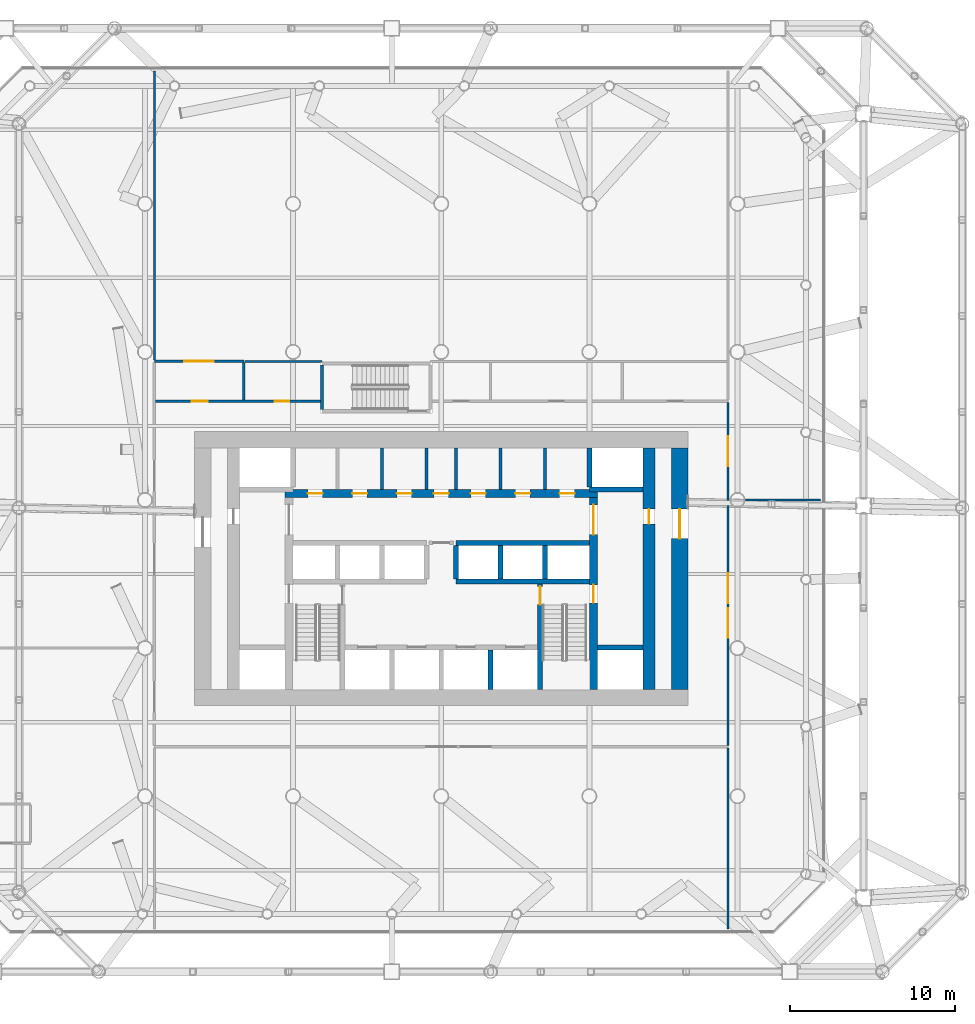
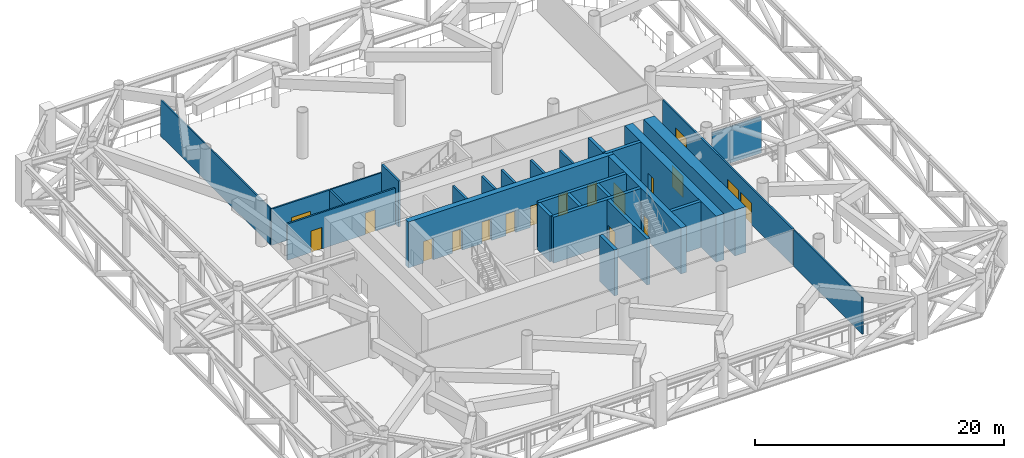
# One storey, part 15 of 22: 28 walls, 18 doors, 18 openings.
"""IFC4 building model written with IfcOpenShell, lengths in metres."""

from ifc_helpers import new_model, si_unit, direction, frame, frame_2d, origin, place, context, subcontext, project, spatial, rectangle, extrude, material, layer, layer_set, type_object, element, fill, save


model = new_model("IFC4")

# Units and contexts
model_context = context("Model", 3, precision=1e-05, world=origin(), true_north=direction((0.0, 1.0)))
body_context = subcontext(model_context, "Body", "Model", "MODEL_VIEW")
ifc_project = project(units=[si_unit("LENGTHUNIT", "METRE"), si_unit("AREAUNIT", "SQUARE_METRE"), si_unit("VOLUMEUNIT", "CUBIC_METRE"), si_unit("PLANEANGLEUNIT", "RADIAN"), si_unit("MASSUNIT", "GRAM", prefix="KILO")], contexts=[model_context])

# Site, building, storey
site_placement = place(None, origin())
site = spatial("IfcSite", under=ifc_project, at=site_placement, CompositionType="ELEMENT")
building_placement = place(site_placement, origin())
building = spatial("IfcBuilding", under=site, at=building_placement, Name="Tskaro Facet Tower", CompositionType="ELEMENT")
storey_placement = place(building_placement, frame((0.0, 0.0, 57.60009765625)))
storey = spatial("IfcBuildingStorey", under=building, at=storey_placement, Name="L13", CompositionType="ELEMENT", Elevation=57.60009765625)

# Walls
ifc_material_1 = material(Name="Concrete C60/75", Category="concrete")
ifc_layer_1 = layer(ifc_material_1, 0.300048828125, Name="Concrete C60/75")
ifc_layer_set_1 = layer_set([ifc_layer_1], Name="Concrete C60/75")
wall_type_1 = type_object("IfcWallType", Name="CORE-SHAFT", PredefinedType="SHEAR", material=ifc_layer_set_1)
wall_1_placement = place(storey_placement, frame((9.5, -8.949951171875, 0.0), z_axis=(0.0, 0.0, 1.0), x_axis=(1.0, 0.0, 0.0)))
element("IfcWall", 1, at=wall_1_placement, inside=storey, type_object=wall_type_1, Name="Shaft wall W007", PredefinedType="SHEAR", context=body_context, shape_type="SweptSolid", body=[
    extrude(rectangle(XDim=2.75, YDim=0.300048828125, at=frame_2d((1.375, 0.0))), origin(), (0.0, 0.0, 1.0), 4.5),
])
for number, where, z_axis, x_axis, name in (
    (2, (0.89990234375, -4.949951171875, 0.0), (0.0, 0.0, 1.0), (1.0, 0.0, 0.0), "Shaft wall W009"),
    (3, (0.89990234375, -2.60009765625, 0.0), (0.0, 0.0, 1.0), (1.0, 0.0, 0.0), "Shaft wall W012"),
):
    element("IfcWall", number, at=place(storey_placement, frame(where, z_axis=z_axis, x_axis=x_axis)), inside=storey, type_object=wall_type_1, Name=name, PredefinedType="SHEAR", context=body_context, shape_type="SweptSolid", body=[
        extrude(rectangle(XDim=8.10009765625, YDim=0.300048828125, at=frame_2d((4.050048828125, 0.0))), origin(), (0.0, 0.0, 1.0), 4.5),
    ])
wall_2_placement = place(storey_placement, frame((12.25, 0.64990234375, 0.0), z_axis=(0.0, 0.0, 1.0), x_axis=(-1.0, 0.0, 0.0)))
element("IfcWall", 4, at=wall_2_placement, inside=storey, type_object=wall_type_1, Name="Shaft wall W015", PredefinedType="SHEAR", context=body_context, shape_type="SweptSolid", body=[
    extrude(rectangle(XDim=3.25, YDim=0.300048828125, at=frame_2d((1.625, 0.0))), origin(), (0.0, 0.0, 1.0), 4.5),
])
wall_3_placement = place(storey_placement, frame((0.89990234375, -4.800048828125, 0.0), z_axis=(0.0, 0.0, 1.0), x_axis=(0.0, 1.0, 0.0)))
element("IfcWall", 5, at=wall_3_placement, inside=storey, type_object=wall_type_1, Name="Shaft wall W041", PredefinedType="SHEAR", context=body_context, shape_type="SweptSolid", body=[
    extrude(rectangle(XDim=2.050048828125, YDim=0.300048828125, at=frame_2d((1.02490234375, 0.0))), origin(), (0.0, 0.0, 1.0), 4.5),
])
wall_4_placement = place(storey_placement, frame((3.0, -11.5, 0.0), z_axis=(0.0, 0.0, 1.0), x_axis=(0.0, 1.0, 0.0)))
element("IfcWall", 6, at=wall_4_placement, inside=storey, type_object=wall_type_1, Name="Shaft wall W043", PredefinedType="SHEAR", context=body_context, shape_type="SweptSolid", body=[
    extrude(rectangle(XDim=2.39990234375, YDim=0.300048828125, at=frame_2d((1.199951171875, 0.0))), origin(), (0.0, 0.0, 1.0), 4.5),
])
wall_5_placement = place(storey_placement, frame((3.60009765625, -4.800048828125, 0.0), z_axis=(0.0, 0.0, 1.0), x_axis=(0.0, 1.0, 0.0)))
element("IfcWall", 7, at=wall_5_placement, inside=storey, type_object=wall_type_1, Name="Shaft wall W045", PredefinedType="SHEAR", context=body_context, shape_type="SweptSolid", body=[
    extrude(rectangle(XDim=2.050048828125, YDim=0.300048828125, at=frame_2d((1.02490234375, 0.0))), origin(), (0.0, 0.0, 1.0), 4.5),
])

# Wall, opening, door
wall_6_placement = place(storey_placement, frame((6.0, -5.10009765625, 0.0), z_axis=(0.0, 0.0, 1.0), x_axis=(0.0, -1.0, 0.0)))
wall_6 = element("IfcWall", 8, at=wall_6_placement, inside=storey, type_object=wall_type_1, Name="Shaft wall W047", PredefinedType="SHEAR", context=body_context, shape_type="SweptSolid", body=[
    extrude(rectangle(XDim=6.39990234375, YDim=0.300048828125, at=frame_2d((3.199951171875, 0.0))), origin(), (0.0, 0.0, 1.0), 4.5),
])
opening_1_placement = place(wall_6_placement, frame((0.14990234375, 0.0, 0.0)))
opening_1 = element("IfcOpeningElement", 9, at=opening_1_placement, cuts=wall_6, Name="Opening ST-2-D1", PredefinedType="OPENING", context=body_context, shape_type="SweptSolid", body=[
    extrude(rectangle(XDim=1.10009765625, YDim=2.10009765625, at=frame_2d((0.550048828125, 1.050048828125))), frame((0.0, 0.159912109375, 0.0), z_axis=(0.0, -1.0, 0.0), x_axis=(1.0, 0.0, 0.0)), (0.0, 0.0, 1.0), 0.320068359375),
])
ifc_material_2 = material(Name="Steel", Category="steel")
door_type_1 = type_object("IfcDoorType", Name="D-STAIR", OperationType="NOTDEFINED", PredefinedType="DOOR", material=ifc_material_2)
door_1_placement = place(opening_1_placement, origin())
door_1 = element("IfcDoor", 10, at=door_1_placement, inside=storey, type_object=door_type_1, Name="Stair door 2", OperationType="SINGLE_SWING_RIGHT", OverallHeight=2.10009765625, OverallWidth=1.10009765625, PredefinedType="DOOR", context=body_context, shape_type="SweptSolid", body=[
    extrude(rectangle(XDim=1.10009765625, YDim=2.10009765625, at=frame_2d((0.550048828125, 1.050048828125))), frame((0.0, 0.02490234375, 0.0), z_axis=(0.0, -1.0, 0.0), x_axis=(1.0, 0.0, 0.0)), (0.0, 0.0, 1.0), 0.050048828125),
])
fill(opening_1, door_1)

# Walls
wall_7_placement = place(storey_placement, frame((6.300048828125, -4.800048828125, 0.0), z_axis=(0.0, 0.0, 1.0), x_axis=(0.0, 1.0, 0.0)))
element("IfcWall", 11, at=wall_7_placement, inside=storey, type_object=wall_type_1, Name="Shaft wall W048", PredefinedType="SHEAR", context=body_context, shape_type="SweptSolid", body=[
    extrude(rectangle(XDim=2.050048828125, YDim=0.300048828125, at=frame_2d((1.02490234375, 0.0))), origin(), (0.0, 0.0, 1.0), 4.5),
])
wall_8_placement = place(storey_placement, frame((9.0, 0.800048828125, 0.0), z_axis=(0.0, 0.0, 1.0), x_axis=(0.0, 1.0, 0.0)))
element("IfcWall", 12, at=wall_8_placement, inside=storey, type_object=wall_type_1, Name="Shaft wall W050", PredefinedType="SHEAR", context=body_context, shape_type="SweptSolid", body=[
    extrude(rectangle(XDim=2.349853515625, YDim=0.300048828125, at=frame_2d((1.1748046875, 0.0))), origin(), (0.0, 0.0, 1.0), 4.5),
])
ifc_material_3 = material(Name="Concrete C20/25", Category="concrete")
ifc_layer_2 = layer(ifc_material_3, 0.199951171875, Name="Concrete C20/25")
ifc_layer_set_2 = layer_set([ifc_layer_2], Name="Concrete C20/25")
wall_type_2 = type_object("IfcWallType", Name="CORE-WALL", PredefinedType="SOLIDWALL", material=ifc_layer_set_2)
for number, where, z_axis, x_axis, name in (
    (13, (-3.60009765625, 0.64990234375, 0.0), (0.0, 0.0, 1.0), (0.0, 1.0, 0.0), "Core room wall W035"),
    (14, (-0.89990234375, 0.64990234375, 0.0), (0.0, 0.0, 1.0), (0.0, 1.0, 0.0), "Core room wall W038"),
    (15, (0.89990234375, 0.64990234375, 0.0), (0.0, 0.0, 1.0), (0.0, 1.0, 0.0), "Core room wall W042"),
    (16, (3.60009765625, 0.64990234375, 0.0), (0.0, 0.0, 1.0), (0.0, 1.0, 0.0), "Core room wall W046"),
    (17, (6.300048828125, 0.64990234375, 0.0), (0.0, 0.0, 1.0), (0.0, 1.0, 0.0), "Core room wall W049"),
):
    element("IfcWall", number, at=place(storey_placement, frame(where, z_axis=z_axis, x_axis=x_axis)), inside=storey, type_object=wall_type_2, Name=name, PredefinedType="SOLIDWALL", context=body_context, shape_type="SweptSolid", body=[
        extrude(rectangle(XDim=2.5, YDim=0.199951171875, at=frame_2d((1.25, 0.0))), origin(), (0.0, 0.0, 1.0), 4.199951171875),
    ])

# Wall, opening, door
ifc_layer_3 = layer(ifc_material_1, 1.0, Name="Concrete C60/75")
ifc_layer_set_3 = layer_set([ifc_layer_3], Name="Concrete C60/75")
wall_type_3 = type_object("IfcWallType", Name="Core wall 1000", PredefinedType="SHEAR", material=ifc_layer_set_3)
wall_9_placement = place(storey_placement, frame((14.5, -11.5, 0.0), z_axis=(0.0, 0.0, 1.0), x_axis=(0.0, 1.0, 0.0)))
wall_9 = element("IfcWall", 18, at=wall_9_placement, inside=storey, type_object=wall_type_3, Name="Core wall CW-Z1E", PredefinedType="SHEAR", context=body_context, shape_type="SweptSolid", body=[
    extrude(rectangle(XDim=14.64990234375, YDim=1.0, at=frame_2d((7.324951171875, 0.0))), origin(), (0.0, 0.0, 1.0), 4.5),
])
opening_2_placement = place(wall_9_placement, frame((9.14990234375, 0.0, 0.0)))
opening_2 = element("IfcOpeningElement", 19, at=opening_2_placement, cuts=wall_9, Name="Opening R13-D16", PredefinedType="OPENING", context=body_context, shape_type="SweptSolid", body=[
    extrude(rectangle(XDim=1.800048828125, YDim=2.10009765625, at=frame_2d((0.89990234375, 1.050048828125))), frame((0.0, 0.510009765625, 0.0), z_axis=(0.0, -1.0, 0.0), x_axis=(1.0, 0.0, 0.0)), (0.0, 0.0, 1.0), 1.02001953125),
])
door_type_2 = type_object("IfcDoorType", Name="D-CORE-PAIR", OperationType="NOTDEFINED", PredefinedType="DOOR", material=ifc_material_2)
door_2_placement = place(opening_2_placement, origin())
door_2 = element("IfcDoor", 20, at=door_2_placement, inside=storey, type_object=door_type_2, Name="Door R13-D16", OperationType="DOUBLE_DOOR_SINGLE_SWING", OverallHeight=2.10009765625, OverallWidth=1.800048828125, PredefinedType="DOOR", context=body_context, shape_type="SweptSolid", body=[
    extrude(rectangle(XDim=1.800048828125, YDim=2.10009765625, at=frame_2d((0.89990234375, 1.050048828125))), frame((0.0, 0.02490234375, 0.0), z_axis=(0.0, -1.0, 0.0), x_axis=(1.0, 0.0, 0.0)), (0.0, 0.0, 1.0), 0.050048828125),
])
fill(opening_2, door_2)

# Wall, openings, doors
ifc_material_4 = material(Name="Concrete C40/50", Category="concrete")
ifc_layer_4 = layer(ifc_material_4, 0.5, Name="Concrete C40/50")
ifc_layer_set_4 = layer_set([ifc_layer_4], Name="Concrete C40/50")
wall_type_4 = type_object("IfcWallType", Name="Core wall 500", PredefinedType="SHEAR", material=ifc_layer_set_4)
wall_10_placement = place(storey_placement, frame((-9.5, 0.39990234375, 0.0), z_axis=(0.0, 0.0, 1.0), x_axis=(1.0, 0.0, 0.0)))
wall_10 = element("IfcWall", 21, at=wall_10_placement, inside=storey, type_object=wall_type_4, Name="Core wall CW-Z3N", PredefinedType="SHEAR", context=body_context, shape_type="SweptSolid", body=[
    extrude(rectangle(XDim=19.0, YDim=0.5, at=frame_2d((9.5, 0.0))), origin(), (0.0, 0.0, 1.0), 4.5),
])
opening_3_placement = place(wall_10_placement, frame((1.39990234375, 0.0, 0.0)))
opening_3 = element("IfcOpeningElement", 22, at=opening_3_placement, cuts=wall_10, Name="Opening R13-D17", PredefinedType="OPENING", context=body_context, shape_type="SweptSolid", body=[
    extrude(rectangle(XDim=0.89990234375, YDim=2.10009765625, at=frame_2d((0.449951171875, 1.050048828125))), frame((0.0, 0.260009765625, 0.0), z_axis=(0.0, -1.0, 0.0), x_axis=(1.0, 0.0, 0.0)), (0.0, 0.0, 1.0), 0.52001953125),
])
opening_4_placement = place(wall_10_placement, frame((4.10009765625, 0.0, 0.0)))
opening_4 = element("IfcOpeningElement", 23, at=opening_4_placement, cuts=wall_10, Name="Opening R13-D18", PredefinedType="OPENING", context=body_context, shape_type="SweptSolid", body=[
    extrude(rectangle(XDim=0.89990234375, YDim=2.10009765625, at=frame_2d((0.449951171875, 1.050048828125))), frame((0.0, 0.260009765625, 0.0), z_axis=(0.0, -1.0, 0.0), x_axis=(1.0, 0.0, 0.0)), (0.0, 0.0, 1.0), 0.52001953125),
])
opening_5_placement = place(wall_10_placement, frame((6.800048828125, 0.0, 0.0)))
opening_5 = element("IfcOpeningElement", 24, at=opening_5_placement, cuts=wall_10, Name="Opening R13-D19", PredefinedType="OPENING", context=body_context, shape_type="SweptSolid", body=[
    extrude(rectangle(XDim=0.89990234375, YDim=2.10009765625, at=frame_2d((0.449951171875, 1.050048828125))), frame((0.0, 0.260009765625, 0.0), z_axis=(0.0, -1.0, 0.0), x_axis=(1.0, 0.0, 0.0)), (0.0, 0.0, 1.0), 0.52001953125),
])
opening_6_placement = place(wall_10_placement, frame((11.300048828125, 0.0, 0.0)))
opening_6 = element("IfcOpeningElement", 25, at=opening_6_placement, cuts=wall_10, Name="Opening R13-D21", PredefinedType="OPENING", context=body_context, shape_type="SweptSolid", body=[
    extrude(rectangle(XDim=0.89990234375, YDim=2.10009765625, at=frame_2d((0.449951171875, 1.050048828125))), frame((0.0, 0.260009765625, 0.0), z_axis=(0.0, -1.0, 0.0), x_axis=(1.0, 0.0, 0.0)), (0.0, 0.0, 1.0), 0.52001953125),
])
opening_7_placement = place(wall_10_placement, frame((14.0, 0.0, 0.0)))
opening_7 = element("IfcOpeningElement", 26, at=opening_7_placement, cuts=wall_10, Name="Opening R13-D22", PredefinedType="OPENING", context=body_context, shape_type="SweptSolid", body=[
    extrude(rectangle(XDim=0.89990234375, YDim=2.10009765625, at=frame_2d((0.449951171875, 1.050048828125))), frame((0.0, 0.260009765625, 0.0), z_axis=(0.0, -1.0, 0.0), x_axis=(1.0, 0.0, 0.0)), (0.0, 0.0, 1.0), 0.52001953125),
])
opening_8_placement = place(wall_10_placement, frame((16.699951171875, 0.0, 0.0)))
opening_8 = element("IfcOpeningElement", 27, at=opening_8_placement, cuts=wall_10, Name="Opening R13-D23", PredefinedType="OPENING", context=body_context, shape_type="SweptSolid", body=[
    extrude(rectangle(XDim=0.89990234375, YDim=2.10009765625, at=frame_2d((0.449951171875, 1.050048828125))), frame((0.0, 0.260009765625, 0.0), z_axis=(0.0, -1.0, 0.0), x_axis=(1.0, 0.0, 0.0)), (0.0, 0.0, 1.0), 0.52001953125),
])
opening_9_placement = place(wall_10_placement, frame((9.050048828125, 0.0, 0.0)))
opening_9 = element("IfcOpeningElement", 28, at=opening_9_placement, cuts=wall_10, Name="Opening R13-D20", PredefinedType="OPENING", context=body_context, shape_type="SweptSolid", body=[
    extrude(rectangle(XDim=0.89990234375, YDim=2.10009765625, at=frame_2d((0.449951171875, 1.050048828125))), frame((0.0, 0.260009765625, 0.0), z_axis=(0.0, -1.0, 0.0), x_axis=(1.0, 0.0, 0.0)), (0.0, 0.0, 1.0), 0.52001953125),
])
door_type_3 = type_object("IfcDoorType", Name="D-RISER", OperationType="NOTDEFINED", PredefinedType="DOOR", material=ifc_material_2)
door_3_placement = place(opening_9_placement, origin())
door_3 = element("IfcDoor", 29, at=door_3_placement, inside=storey, type_object=door_type_3, Name="Door R13-D20", OperationType="SINGLE_SWING_LEFT", OverallHeight=2.10009765625, OverallWidth=0.89990234375, PredefinedType="DOOR", context=body_context, shape_type="SweptSolid", body=[
    extrude(rectangle(XDim=0.89990234375, YDim=2.10009765625, at=frame_2d((0.449951171875, 1.050048828125))), frame((0.0, 0.02490234375, 0.0), z_axis=(0.0, -1.0, 0.0), x_axis=(1.0, 0.0, 0.0)), (0.0, 0.0, 1.0), 0.050048828125),
])
fill(opening_9, door_3)
ifc_material_5 = material(Name="Timber", Category="wood")
door_type_4 = type_object("IfcDoorType", Name="D-ROOM", OperationType="NOTDEFINED", PredefinedType="DOOR", material=ifc_material_5)
door_4_placement = place(opening_3_placement, origin())
door_4 = element("IfcDoor", 30, at=door_4_placement, inside=storey, type_object=door_type_4, Name="Door R13-D17", OperationType="SINGLE_SWING_LEFT", OverallHeight=2.10009765625, OverallWidth=0.89990234375, PredefinedType="DOOR", context=body_context, shape_type="SweptSolid", body=[
    extrude(rectangle(XDim=0.89990234375, YDim=2.10009765625, at=frame_2d((0.449951171875, 1.050048828125))), frame((0.0, 0.02490234375, 0.0), z_axis=(0.0, -1.0, 0.0), x_axis=(1.0, 0.0, 0.0)), (0.0, 0.0, 1.0), 0.050048828125),
])
fill(opening_3, door_4)
door_5_placement = place(opening_4_placement, origin())
door_5 = element("IfcDoor", 31, at=door_5_placement, inside=storey, type_object=door_type_4, Name="Door R13-D18", OperationType="SINGLE_SWING_LEFT", OverallHeight=2.10009765625, OverallWidth=0.89990234375, PredefinedType="DOOR", context=body_context, shape_type="SweptSolid", body=[
    extrude(rectangle(XDim=0.89990234375, YDim=2.10009765625, at=frame_2d((0.449951171875, 1.050048828125))), frame((0.0, 0.02490234375, 0.0), z_axis=(0.0, -1.0, 0.0), x_axis=(1.0, 0.0, 0.0)), (0.0, 0.0, 1.0), 0.050048828125),
])
fill(opening_4, door_5)
door_6_placement = place(opening_5_placement, origin())
door_6 = element("IfcDoor", 32, at=door_6_placement, inside=storey, type_object=door_type_4, Name="Door R13-D19", OperationType="SINGLE_SWING_LEFT", OverallHeight=2.10009765625, OverallWidth=0.89990234375, PredefinedType="DOOR", context=body_context, shape_type="SweptSolid", body=[
    extrude(rectangle(XDim=0.89990234375, YDim=2.10009765625, at=frame_2d((0.449951171875, 1.050048828125))), frame((0.0, 0.02490234375, 0.0), z_axis=(0.0, -1.0, 0.0), x_axis=(1.0, 0.0, 0.0)), (0.0, 0.0, 1.0), 0.050048828125),
])
fill(opening_5, door_6)
door_7_placement = place(opening_6_placement, origin())
door_7 = element("IfcDoor", 33, at=door_7_placement, inside=storey, type_object=door_type_4, Name="Door R13-D21", OperationType="SINGLE_SWING_LEFT", OverallHeight=2.10009765625, OverallWidth=0.89990234375, PredefinedType="DOOR", context=body_context, shape_type="SweptSolid", body=[
    extrude(rectangle(XDim=0.89990234375, YDim=2.10009765625, at=frame_2d((0.449951171875, 1.050048828125))), frame((0.0, 0.02490234375, 0.0), z_axis=(0.0, -1.0, 0.0), x_axis=(1.0, 0.0, 0.0)), (0.0, 0.0, 1.0), 0.050048828125),
])
fill(opening_6, door_7)
door_8_placement = place(opening_7_placement, origin())
door_8 = element("IfcDoor", 34, at=door_8_placement, inside=storey, type_object=door_type_4, Name="Door R13-D22", OperationType="SINGLE_SWING_LEFT", OverallHeight=2.10009765625, OverallWidth=0.89990234375, PredefinedType="DOOR", context=body_context, shape_type="SweptSolid", body=[
    extrude(rectangle(XDim=0.89990234375, YDim=2.10009765625, at=frame_2d((0.449951171875, 1.050048828125))), frame((0.0, 0.02490234375, 0.0), z_axis=(0.0, -1.0, 0.0), x_axis=(1.0, 0.0, 0.0)), (0.0, 0.0, 1.0), 0.050048828125),
])
fill(opening_7, door_8)
door_9_placement = place(opening_8_placement, origin())
door_9 = element("IfcDoor", 35, at=door_9_placement, inside=storey, type_object=door_type_4, Name="Door R13-D23", OperationType="SINGLE_SWING_LEFT", OverallHeight=2.10009765625, OverallWidth=0.89990234375, PredefinedType="DOOR", context=body_context, shape_type="SweptSolid", body=[
    extrude(rectangle(XDim=0.89990234375, YDim=2.10009765625, at=frame_2d((0.449951171875, 1.050048828125))), frame((0.0, 0.02490234375, 0.0), z_axis=(0.0, -1.0, 0.0), x_axis=(1.0, 0.0, 0.0)), (0.0, 0.0, 1.0), 0.050048828125),
])
fill(opening_8, door_9)

wall_11_placement = place(storey_placement, frame((9.25, -11.5, 0.0), z_axis=(0.0, 0.0, 1.0), x_axis=(0.0, 1.0, 0.0)))
wall_11 = element("IfcWall", 36, at=wall_11_placement, inside=storey, type_object=wall_type_4, Name="Core wall CW-Z3E", PredefinedType="SHEAR", context=body_context, shape_type="SweptSolid", body=[
    extrude(rectangle(XDim=11.64990234375, YDim=0.5, at=frame_2d((5.824951171875, 0.0))), origin(), (0.0, 0.0, 1.0), 4.5),
])
opening_10_placement = place(wall_11_placement, frame((9.39990234375, 0.0, 0.0)))
opening_10 = element("IfcOpeningElement", 37, at=opening_10_placement, cuts=wall_11, Name="Opening R13-D12", PredefinedType="OPENING", context=body_context, shape_type="SweptSolid", body=[
    extrude(rectangle(XDim=1.800048828125, YDim=2.10009765625, at=frame_2d((0.89990234375, 1.050048828125))), frame((0.0, 0.260009765625, 0.0), z_axis=(0.0, -1.0, 0.0), x_axis=(1.0, 0.0, 0.0)), (0.0, 0.0, 1.0), 0.52001953125),
])
opening_11_placement = place(wall_11_placement, frame((5.25, 0.0, 0.0)))
opening_11 = element("IfcOpeningElement", 38, at=opening_11_placement, cuts=wall_11, Name="Opening ST-2-D2", PredefinedType="OPENING", context=body_context, shape_type="SweptSolid", body=[
    extrude(rectangle(XDim=1.10009765625, YDim=2.10009765625, at=frame_2d((0.550048828125, 1.050048828125))), frame((0.0, 0.260009765625, 0.0), z_axis=(0.0, -1.0, 0.0), x_axis=(1.0, 0.0, 0.0)), (0.0, 0.0, 1.0), 0.52001953125),
])
door_10_placement = place(opening_10_placement, origin())
door_10 = element("IfcDoor", 39, at=door_10_placement, inside=storey, type_object=door_type_2, Name="Door R13-D12", OperationType="DOUBLE_DOOR_SINGLE_SWING", OverallHeight=2.10009765625, OverallWidth=1.800048828125, PredefinedType="DOOR", context=body_context, shape_type="SweptSolid", body=[
    extrude(rectangle(XDim=1.800048828125, YDim=2.10009765625, at=frame_2d((0.89990234375, 1.050048828125))), frame((0.0, 0.02490234375, 0.0), z_axis=(0.0, -1.0, 0.0), x_axis=(1.0, 0.0, 0.0)), (0.0, 0.0, 1.0), 0.050048828125),
])
fill(opening_10, door_10)
door_11_placement = place(opening_11_placement, origin())
door_11 = element("IfcDoor", 40, at=door_11_placement, inside=storey, type_object=door_type_1, Name="Stair door 2 east", OperationType="SINGLE_SWING_LEFT", OverallHeight=2.10009765625, OverallWidth=1.10009765625, PredefinedType="DOOR", context=body_context, shape_type="SweptSolid", body=[
    extrude(rectangle(XDim=1.10009765625, YDim=2.10009765625, at=frame_2d((0.550048828125, 1.050048828125))), frame((0.0, 0.02490234375, 0.0), z_axis=(0.0, -1.0, 0.0), x_axis=(1.0, 0.0, 0.0)), (0.0, 0.0, 1.0), 0.050048828125),
])
fill(opening_11, door_11)

# Wall, opening, door
ifc_material_6 = material(Name="Concrete C50/60", Category="concrete")
ifc_layer_5 = layer(ifc_material_6, 0.75, Name="Concrete C50/60")
ifc_layer_set_5 = layer_set([ifc_layer_5], Name="Concrete C50/60")
wall_type_5 = type_object("IfcWallType", Name="Core wall 750", PredefinedType="SHEAR", material=ifc_layer_set_5)
wall_12_placement = place(storey_placement, frame((12.625, -11.5, 0.0), z_axis=(0.0, 0.0, 1.0), x_axis=(0.0, 1.0, 0.0)))
wall_12 = element("IfcWall", 41, at=wall_12_placement, inside=storey, type_object=wall_type_5, Name="Core wall CW-Z2E", PredefinedType="SHEAR", context=body_context, shape_type="SweptSolid", body=[
    extrude(rectangle(XDim=14.64990234375, YDim=0.75, at=frame_2d((7.324951171875, 0.0))), origin(), (0.0, 0.0, 1.0), 4.5),
])
opening_12_placement = place(wall_12_placement, frame((10.050048828125, 0.0, 0.0)))
opening_12 = element("IfcOpeningElement", 42, at=opening_12_placement, cuts=wall_12, Name="Opening R13-D15", PredefinedType="OPENING", context=body_context, shape_type="SweptSolid", body=[
    extrude(rectangle(XDim=0.89990234375, YDim=2.10009765625, at=frame_2d((0.449951171875, 1.050048828125))), frame((0.0, 0.385009765625, 0.0), z_axis=(0.0, -1.0, 0.0), x_axis=(1.0, 0.0, 0.0)), (0.0, 0.0, 1.0), 0.77001953125),
])
door_12_placement = place(opening_12_placement, origin())
door_12 = element("IfcDoor", 43, at=door_12_placement, inside=storey, type_object=door_type_4, Name="Door R13-D15", OperationType="SINGLE_SWING_LEFT", OverallHeight=2.10009765625, OverallWidth=0.89990234375, PredefinedType="DOOR", context=body_context, shape_type="SweptSolid", body=[
    extrude(rectangle(XDim=0.89990234375, YDim=2.10009765625, at=frame_2d((0.449951171875, 1.050048828125))), frame((0.0, 0.02490234375, 0.0), z_axis=(0.0, -1.0, 0.0), x_axis=(1.0, 0.0, 0.0)), (0.0, 0.0, 1.0), 0.050048828125),
])
fill(opening_12, door_12)

# Walls
ifc_material_7 = material(Name="Gypsum board on steel studs", Category="steel")
ifc_layer_6 = layer(ifc_material_7, 0.125, Name="Gypsum board on steel studs")
ifc_layer_set_6 = layer_set([ifc_layer_6], Name="Gypsum board on steel studs")
wall_type_6 = type_object("IfcWallType", Name="PART", PredefinedType="PARTITIONING", material=ifc_layer_set_6)
wall_13_placement = place(storey_placement, frame((18.5, 0.0, 0.0), z_axis=(0.0, 0.0, 1.0), x_axis=(1.0, 0.0, 0.0)))
element("IfcWall", 44, at=wall_13_placement, inside=storey, type_object=wall_type_6, Name="Partition W013", PredefinedType="PARTITIONING", context=body_context, shape_type="SweptSolid", body=[
    extrude(rectangle(XDim=4.556884765625, YDim=0.125, at=frame_2d((2.2783203125, 0.0))), origin(), (0.0, 0.0, 1.0), 3.559814453125),
])
wall_14_placement = place(storey_placement, frame((-11.925048828125, 8.425048828125, 0.0), z_axis=(0.0, 0.0, 1.0), x_axis=(1.0, 0.0, 0.0)))
element("IfcWall", 45, at=wall_14_placement, inside=storey, type_object=wall_type_6, Name="Partition W021", PredefinedType="PARTITIONING", context=body_context, shape_type="SweptSolid", body=[
    extrude(rectangle(XDim=4.675048828125, YDim=0.125, at=frame_2d((2.33740234375, 0.0))), origin(), (0.0, 0.0, 1.0), 3.559814453125),
])
wall_15_placement = place(storey_placement, frame((-17.425048828125, 8.5, 0.0), z_axis=(0.0, 0.0, 1.0), x_axis=(0.0, 1.0, 0.0)))
element("IfcWall", 46, at=wall_15_placement, inside=storey, type_object=wall_type_6, Name="Partition W027", PredefinedType="PARTITIONING", context=body_context, shape_type="SweptSolid", body=[
    extrude(rectangle(XDim=17.556884765625, YDim=0.125, at=frame_2d((8.7783203125, 0.0))), origin(), (0.0, 0.0, 1.0), 3.559814453125),
])
wall_16_placement = place(storey_placement, frame((17.425048828125, -26.056884765625, 0.0), z_axis=(0.0, 0.0, 1.0), x_axis=(0.0, 1.0, 0.0)))
element("IfcWall", 47, at=wall_16_placement, inside=storey, type_object=wall_type_6, Name="Partition W052", PredefinedType="PARTITIONING", context=body_context, shape_type="SweptSolid", body=[
    extrude(rectangle(XDim=10.98193359375, YDim=0.125, at=frame_2d((5.490966796875, 0.0))), origin(), (0.0, 0.0, 1.0), 3.559814453125),
])

# Wall, openings, doors
ifc_layer_7 = layer(ifc_material_7, 0.14990234375, Name="Gypsum board on steel studs")
ifc_layer_set_7 = layer_set([ifc_layer_7], Name="Gypsum board on steel studs")
wall_type_7 = type_object("IfcWallType", Name="PART-CORR", PredefinedType="PARTITIONING", material=ifc_layer_set_7)
wall_17_placement = place(storey_placement, frame((-7.35009765625, 6.0, 0.0), z_axis=(0.0, 0.0, 1.0), x_axis=(-1.0, 0.0, 0.0)))
wall_17 = element("IfcWall", 48, at=wall_17_placement, inside=storey, type_object=wall_type_7, Name="Corridor wall W017", PredefinedType="PARTITIONING", context=body_context, shape_type="SweptSolid", body=[
    extrude(rectangle(XDim=10.0, YDim=0.14990234375, at=frame_2d((5.0, 0.0))), origin(), (0.0, 0.0, 1.0), 3.559814453125),
])
opening_13_placement = place(wall_17_placement, frame((6.824951171875, 0.0, 0.0)))
opening_13 = element("IfcOpeningElement", 49, at=opening_13_placement, cuts=wall_17, Name="Opening R13-D27", PredefinedType="OPENING", context=body_context, shape_type="SweptSolid", body=[
    extrude(rectangle(XDim=1.0, YDim=2.10009765625, at=frame_2d((0.5, 1.050048828125))), frame((0.0, 0.0849609375, 0.0), z_axis=(0.0, -1.0, 0.0), x_axis=(1.0, 0.0, 0.0)), (0.0, 0.0, 1.0), 0.169921875),
])
opening_14_placement = place(wall_17_placement, frame((1.875, 0.0, 0.0)))
opening_14 = element("IfcOpeningElement", 50, at=opening_14_placement, cuts=wall_17, Name="Opening R13-D28", PredefinedType="OPENING", context=body_context, shape_type="SweptSolid", body=[
    extrude(rectangle(XDim=0.89990234375, YDim=2.10009765625, at=frame_2d((0.449951171875, 1.050048828125))), frame((0.0, 0.0849609375, 0.0), z_axis=(0.0, -1.0, 0.0), x_axis=(1.0, 0.0, 0.0)), (0.0, 0.0, 1.0), 0.169921875),
])
door_type_5 = type_object("IfcDoorType", Name="D-ENTRY", OperationType="NOTDEFINED", PredefinedType="DOOR", material=ifc_material_5)
door_13_placement = place(opening_13_placement, origin())
door_13 = element("IfcDoor", 51, at=door_13_placement, inside=storey, type_object=door_type_5, Name="Door R13-D27", OperationType="SINGLE_SWING_RIGHT", OverallHeight=2.10009765625, OverallWidth=1.0, PredefinedType="DOOR", context=body_context, shape_type="SweptSolid", body=[
    extrude(rectangle(XDim=1.0, YDim=2.10009765625, at=frame_2d((0.5, 1.050048828125))), frame((0.0, 0.02490234375, 0.0), z_axis=(0.0, -1.0, 0.0), x_axis=(1.0, 0.0, 0.0)), (0.0, 0.0, 1.0), 0.050048828125),
])
fill(opening_13, door_13)
door_14_placement = place(opening_14_placement, origin())
door_14 = element("IfcDoor", 52, at=door_14_placement, inside=storey, type_object=door_type_4, Name="Door R13-D28", OperationType="SINGLE_SWING_RIGHT", OverallHeight=2.10009765625, OverallWidth=0.89990234375, PredefinedType="DOOR", context=body_context, shape_type="SweptSolid", body=[
    extrude(rectangle(XDim=0.89990234375, YDim=2.10009765625, at=frame_2d((0.449951171875, 1.050048828125))), frame((0.0, 0.02490234375, 0.0), z_axis=(0.0, -1.0, 0.0), x_axis=(1.0, 0.0, 0.0)), (0.0, 0.0, 1.0), 0.050048828125),
])
fill(opening_14, door_14)

# Wall, opening, door
wall_18_placement = place(storey_placement, frame((-17.425048828125, 8.425048828125, 0.0), z_axis=(0.0, 0.0, 1.0), x_axis=(1.0, 0.0, 0.0)))
wall_18 = element("IfcWall", 53, at=wall_18_placement, inside=storey, type_object=wall_type_7, Name="Corridor wall W020", PredefinedType="PARTITIONING", context=body_context, shape_type="SweptSolid", body=[
    extrude(rectangle(XDim=5.425048828125, YDim=0.14990234375, at=frame_2d((2.71240234375, 0.0))), origin(), (0.0, 0.0, 1.0), 3.559814453125),
])
opening_15_placement = place(wall_18_placement, frame((1.8125, 0.0, 0.0)))
opening_15 = element("IfcOpeningElement", 54, at=opening_15_placement, cuts=wall_18, Name="Opening R13-D32", PredefinedType="OPENING", context=body_context, shape_type="SweptSolid", body=[
    extrude(rectangle(XDim=1.800048828125, YDim=2.10009765625, at=frame_2d((0.89990234375, 1.050048828125))), frame((0.0, 0.0849609375, 0.0), z_axis=(0.0, -1.0, 0.0), x_axis=(1.0, 0.0, 0.0)), (0.0, 0.0, 1.0), 0.169921875),
])
ifc_material_8 = material(Name="Glass", Category="glass")
door_type_6 = type_object("IfcDoorType", Name="D-ENTRY-PAIR", OperationType="NOTDEFINED", PredefinedType="DOOR", material=ifc_material_8)
door_15_placement = place(opening_15_placement, origin())
door_15 = element("IfcDoor", 55, at=door_15_placement, inside=storey, type_object=door_type_6, Name="Door R13-D32", OperationType="DOUBLE_DOOR_SINGLE_SWING", OverallHeight=2.10009765625, OverallWidth=1.800048828125, PredefinedType="DOOR", context=body_context, shape_type="SweptSolid", body=[
    extrude(rectangle(XDim=1.800048828125, YDim=2.10009765625, at=frame_2d((0.89990234375, 1.050048828125))), frame((0.0, 0.02490234375, 0.0), z_axis=(0.0, -1.0, 0.0), x_axis=(1.0, 0.0, 0.0)), (0.0, 0.0, 1.0), 0.050048828125),
])
fill(opening_15, door_15)

# Wall
wall_19_placement = place(storey_placement, frame((-12.0, 6.074951171875, 0.0), z_axis=(0.0, 0.0, 1.0), x_axis=(0.0, 1.0, 0.0)))
element("IfcWall", 56, at=wall_19_placement, inside=storey, type_object=wall_type_7, Name="Corridor wall W028", PredefinedType="PARTITIONING", context=body_context, shape_type="SweptSolid", body=[
    extrude(rectangle(XDim=2.275146484375, YDim=0.14990234375, at=frame_2d((1.1376953125, 0.0))), origin(), (0.0, 0.0, 1.0), 3.559814453125),
])

# Wall, openings, doors
wall_20_placement = place(storey_placement, frame((17.425048828125, -14.925048828125, 0.0), z_axis=(0.0, 0.0, 1.0), x_axis=(0.0, 1.0, 0.0)))
wall_20 = element("IfcWall", 57, at=wall_20_placement, inside=storey, type_object=wall_type_7, Name="Corridor wall W053", PredefinedType="PARTITIONING", context=body_context, shape_type="SweptSolid", body=[
    extrude(rectangle(XDim=20.85009765625, YDim=0.14990234375, at=frame_2d((10.425048828125, 0.0))), origin(), (0.0, 0.0, 1.0), 3.559814453125),
])
opening_16_placement = place(wall_20_placement, frame((6.5625, 0.0, 0.0)))
opening_16 = element("IfcOpeningElement", 58, at=opening_16_placement, cuts=wall_20, Name="Opening R13-D07", PredefinedType="OPENING", context=body_context, shape_type="SweptSolid", body=[
    extrude(rectangle(XDim=1.800048828125, YDim=2.10009765625, at=frame_2d((0.89990234375, 1.050048828125))), frame((0.0, 0.0849609375, 0.0), z_axis=(0.0, -1.0, 0.0), x_axis=(1.0, 0.0, 0.0)), (0.0, 0.0, 1.0), 0.169921875),
])
opening_17_placement = place(wall_20_placement, frame((8.66259765625, 0.0, 0.0)))
opening_17 = element("IfcOpeningElement", 59, at=opening_17_placement, cuts=wall_20, Name="Opening R13-D08", PredefinedType="OPENING", context=body_context, shape_type="SweptSolid", body=[
    extrude(rectangle(XDim=1.800048828125, YDim=2.10009765625, at=frame_2d((0.89990234375, 1.050048828125))), frame((0.0, 0.0849609375, 0.0), z_axis=(0.0, -1.0, 0.0), x_axis=(1.0, 0.0, 0.0)), (0.0, 0.0, 1.0), 0.169921875),
])
opening_18_placement = place(wall_20_placement, frame((16.987548828125, 0.0, 0.0)))
opening_18 = element("IfcOpeningElement", 60, at=opening_18_placement, cuts=wall_20, Name="Opening R13-D26", PredefinedType="OPENING", context=body_context, shape_type="SweptSolid", body=[
    extrude(rectangle(XDim=1.800048828125, YDim=2.10009765625, at=frame_2d((0.89990234375, 1.050048828125))), frame((0.0, 0.0849609375, 0.0), z_axis=(0.0, -1.0, 0.0), x_axis=(1.0, 0.0, 0.0)), (0.0, 0.0, 1.0), 0.169921875),
])
door_16_placement = place(opening_16_placement, origin())
door_16 = element("IfcDoor", 61, at=door_16_placement, inside=storey, type_object=door_type_6, Name="Door R13-D07", OperationType="DOUBLE_DOOR_SINGLE_SWING", OverallHeight=2.10009765625, OverallWidth=1.800048828125, PredefinedType="DOOR", context=body_context, shape_type="SweptSolid", body=[
    extrude(rectangle(XDim=1.800048828125, YDim=2.10009765625, at=frame_2d((0.89990234375, 1.050048828125))), frame((0.0, 0.02490234375, 0.0), z_axis=(0.0, -1.0, 0.0), x_axis=(1.0, 0.0, 0.0)), (0.0, 0.0, 1.0), 0.050048828125),
])
fill(opening_16, door_16)
door_17_placement = place(opening_17_placement, origin())
door_17 = element("IfcDoor", 62, at=door_17_placement, inside=storey, type_object=door_type_6, Name="Door R13-D08", OperationType="DOUBLE_DOOR_SINGLE_SWING", OverallHeight=2.10009765625, OverallWidth=1.800048828125, PredefinedType="DOOR", context=body_context, shape_type="SweptSolid", body=[
    extrude(rectangle(XDim=1.800048828125, YDim=2.10009765625, at=frame_2d((0.89990234375, 1.050048828125))), frame((0.0, 0.02490234375, 0.0), z_axis=(0.0, -1.0, 0.0), x_axis=(1.0, 0.0, 0.0)), (0.0, 0.0, 1.0), 0.050048828125),
])
fill(opening_17, door_17)
door_18_placement = place(opening_18_placement, origin())
door_18 = element("IfcDoor", 63, at=door_18_placement, inside=storey, type_object=door_type_6, Name="Door R13-D26", OperationType="DOUBLE_DOOR_SINGLE_SWING", OverallHeight=2.10009765625, OverallWidth=1.800048828125, PredefinedType="DOOR", context=body_context, shape_type="SweptSolid", body=[
    extrude(rectangle(XDim=1.800048828125, YDim=2.10009765625, at=frame_2d((0.89990234375, 1.050048828125))), frame((0.0, 0.02490234375, 0.0), z_axis=(0.0, -1.0, 0.0), x_axis=(1.0, 0.0, 0.0)), (0.0, 0.0, 1.0), 0.050048828125),
])
fill(opening_18, door_18)

# Wall
ifc_layer_8 = layer(ifc_material_1, 0.199951171875, Name="Concrete C60/75")
ifc_layer_set_8 = layer_set([ifc_layer_8], Name="Concrete C60/75")
wall_type_8 = type_object("IfcWallType", Name="STAIR-WALL", PredefinedType="SHEAR", material=ifc_layer_set_8)
wall_21_placement = place(storey_placement, frame((-7.25, 5.5, 0.0), z_axis=(0.0, 0.0, 1.0), x_axis=(0.0, 1.0, 0.0)))
element("IfcWall", 64, at=wall_21_placement, inside=storey, type_object=wall_type_8, Name="Stair wall W030", PredefinedType="SHEAR", context=body_context, shape_type="SweptSolid", body=[
    extrude(rectangle(XDim=2.699951171875, YDim=0.199951171875, at=frame_2d((1.35009765625, 0.0))), origin(), (0.0, 0.0, 1.0), 4.5),
])

save(model, "model.ifc")
